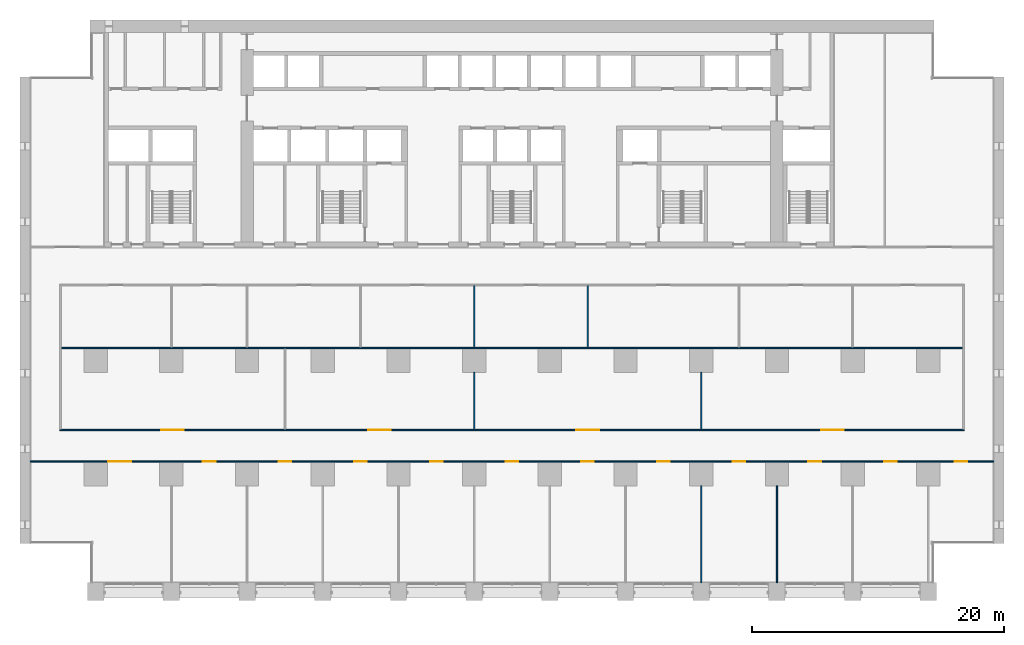
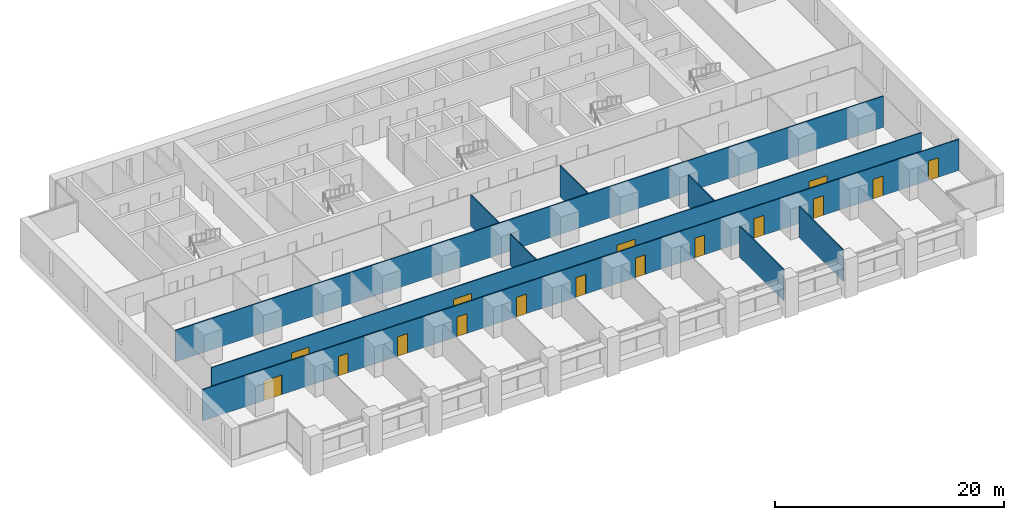
# One storey, part 9 of 18: 16 doors, 9 walls, 16 openings.
"""IFC4 building model written with IfcOpenShell, lengths in metres."""

import ifcopenshell
import ifcopenshell.guid

model = None  # the IFC model being written
_history = None  # IfcOwnerHistory: only IFC2X3 demands one
_inside = {}  # id of a spatial element -> (the spatial element, [elements in it])
_under = {}  # id of a project, library or spatial element -> (it, [spatial elements below it])
_declared = {}  # id of a project -> (the project, [libraries it declares])
_typed = {}  # id of a type object -> (the type object, [elements of that type])
_made_of = {}  # id of a material, layer set ... -> (it, [elements and type objects made of it])


def new_model(schema):
    """Start an empty IFC model of exactly this schema.

    Asked for "IFC4X3", IfcOpenShell would pick the latest addendum, in which some entities
    have other attributes; the version numbers below select the first issue.
    IFC2X3 requires an IfcOwnerHistory on every rooted entity: one is made here for all.
    """
    global model, _history
    if schema == "IFC4X3":
        model = ifcopenshell.file(schema_version=(4, 3, 0, 0))
    else:
        model = ifcopenshell.file(schema=schema)
    _inside.clear()
    _under.clear()
    _declared.clear()
    _typed.clear()
    _made_of.clear()
    _history = None
    if model.schema == "IFC2X3":
        org = make("IfcOrganization", Name="unknown")
        user = make(
            "IfcPersonAndOrganization",
            ThePerson=make("IfcPerson", FamilyName="unknown"),
            TheOrganization=org,
        )
        app = make(
            "IfcApplication",
            ApplicationDeveloper=org,
            Version="unknown",
            ApplicationFullName="unknown",
            ApplicationIdentifier="unknown",
        )
        _history = make(
            "IfcOwnerHistory",
            OwningUser=user,
            OwningApplication=app,
            ChangeAction="ADDED",
            CreationDate=0,
        )
    return model


def make(cls, **values):
    """One entity of the class cls with the attributes given. An attribute that is None is left unset."""
    return model.create_entity(
        cls, **{name: value for name, value in values.items() if value is not None}
    )


def rooted(cls, **values):
    """An entity with a GlobalId (a new one), such as an element, a storey or a relation."""
    return make(cls, GlobalId=ifcopenshell.guid.new(), OwnerHistory=_history, **values)


def si_unit(unit_type, name, prefix=None):
    """IfcSIUnit, for example si_unit("LENGTHUNIT", "METRE", prefix="MILLI")."""
    return make("IfcSIUnit", UnitType=unit_type, Prefix=prefix, Name=name)


def assignment(units):
    """IfcUnitAssignment: the units of a project."""
    return None if units is None else make("IfcUnitAssignment", Units=units)


def point(xyz):
    """IfcCartesianPoint."""
    return None if xyz is None else make("IfcCartesianPoint", Coordinates=xyz)


def direction(xyz):
    """IfcDirection."""
    return None if xyz is None else make("IfcDirection", DirectionRatios=xyz)


def frame(location, z_axis=None, x_axis=None):
    """IfcAxis2Placement3D, a coordinate frame: its origin and axes. An axis left out is left unset."""
    return make(
        "IfcAxis2Placement3D",
        Location=point(location),
        Axis=direction(z_axis),
        RefDirection=direction(x_axis),
    )


def frame_2d(location, x_axis=None):
    """IfcAxis2Placement2D, a coordinate frame in the plane: its origin and x axis."""
    return make(
        "IfcAxis2Placement2D", Location=point(location), RefDirection=direction(x_axis)
    )


def origin():
    """The frame at (0, 0, 0) with its axes left unset."""
    return frame((0.0, 0.0, 0.0))


def place(relative_to, where):
    """IfcLocalPlacement: puts the frame where relative to a parent placement (None: the world)."""
    return make(
        "IfcLocalPlacement", PlacementRelTo=relative_to, RelativePlacement=where
    )


def context(
    kind, dimensions, precision=None, world=None, true_north=None, identifier=None
):
    """IfcGeometricRepresentationContext, for example the 3D "Model" context."""
    return make(
        "IfcGeometricRepresentationContext",
        ContextIdentifier=identifier,
        ContextType=kind,
        CoordinateSpaceDimension=dimensions,
        Precision=precision,
        WorldCoordinateSystem=world,
        TrueNorth=true_north,
    )


def subcontext(parent, identifier, kind, view, scale=None):
    """IfcGeometricRepresentationSubContext, for example "Body" below "Model"."""
    return make(
        "IfcGeometricRepresentationSubContext",
        ContextIdentifier=identifier,
        ContextType=kind,
        ParentContext=parent,
        TargetScale=scale,
        TargetView=view,
    )


def project(units=None, contexts=None):
    """IfcProject with its units and contexts."""
    return rooted(
        "IfcProject",
        Name="project",
        RepresentationContexts=contexts,
        UnitsInContext=assignment(units),
    )


def spatial(cls, under=None, at=None, **own):
    """A site, building, storey or space (cls), placed at a placement, below another one or the project."""
    s = rooted(cls, ObjectPlacement=at, **own)
    if under is not None:
        _under.setdefault(under.id(), (under, []))[1].append(s)
    return s


def profile(cls, at=None, kind="AREA", **sizes):
    """A parametric profile (cls). Its sizes go by their IFC names, for example OverallWidth=200.0."""
    return make(cls, ProfileType=kind, Position=at, **sizes)


def rectangle(**sizes):
    """IfcRectangleProfileDef."""
    return profile("IfcRectangleProfileDef", **sizes)


def extrude(swept, where, along, depth):
    """IfcExtrudedAreaSolid: the profile swept, set in the frame where, extruded along a direction by depth."""
    return make(
        "IfcExtrudedAreaSolid",
        SweptArea=swept,
        Position=where,
        ExtrudedDirection=direction(along),
        Depth=depth,
    )


def shape(context_of_items, identifier, shape_type, items):
    """IfcShapeRepresentation: the items that make up one representation, for example the "Body"."""
    return make(
        "IfcShapeRepresentation",
        ContextOfItems=context_of_items,
        RepresentationIdentifier=identifier,
        RepresentationType=shape_type,
        Items=items,
    )


def material(Name=None, Category=None):
    """IfcMaterial."""
    return make("IfcMaterial", Name=Name, Category=Category)


def layer(
    of_material, thickness, ventilated=None, Name=None, Category=None, Priority=None
):
    """IfcMaterialLayer: one layer of a wall or slab, of a material (None: an air gap)."""
    return make(
        "IfcMaterialLayer",
        Material=of_material,
        LayerThickness=thickness,
        IsVentilated=ventilated,
        Name=Name,
        Category=Category,
        Priority=Priority,
    )


def layer_set(layers, Name=None):
    """IfcMaterialLayerSet."""
    return make("IfcMaterialLayerSet", MaterialLayers=layers, LayerSetName=Name)


def made_of(thing, what):
    """Note that an element or type object is made of a material, layer set ...; save() writes the relation."""
    if what is not None:
        _made_of.setdefault(what.id(), (what, []))[1].append(thing)
    return thing


def type_object(cls, material=None, **own):
    """A type object (cls), such as IfcWallType, which elements share."""
    return made_of(rooted(cls, **own), material)


def element(
    cls,
    number,
    at=None,
    inside=None,
    cuts=None,
    type_object=None,
    material=None,
    context=None,
    identifier="Body",
    shape_type=None,
    held_by="IfcProductDefinitionShape",
    body=None,
    shapes=None,
    **own,
):
    """One element of the class cls, such as IfcWall. Its Tag is "e" and its number.

    at: its placement. inside: the storey or other place that contains it. cuts: it is an
    opening in that element (IfcRelVoidsElement). A single representation is given by context,
    identifier, shape_type and body (its items); several are given by shapes. held_by: the class
    of the entity that holds the representations. save() writes the other relations.
    """
    e = rooted(cls, Tag="e%d" % number, ObjectPlacement=at, **own)
    if body is not None:
        shapes = [shape(context, identifier, shape_type, body)]
    if shapes is not None:
        e.Representation = make(held_by, Representations=shapes)
    if inside is not None:
        _inside.setdefault(inside.id(), (inside, []))[1].append(e)
    if cuts is not None:
        rooted(
            "IfcRelVoidsElement", RelatingBuildingElement=cuts, RelatedOpeningElement=e
        )
    if type_object is not None:
        _typed.setdefault(type_object.id(), (type_object, []))[1].append(e)
    return made_of(e, material)


def fill(opening, filler):
    """IfcRelFillsElement: the door or window that sits in an opening."""
    return rooted(
        "IfcRelFillsElement",
        RelatingOpeningElement=opening,
        RelatedBuildingElement=filler,
    )


def aggregate(whole, parts):
    """IfcRelAggregates: a whole, such as a stair, and the parts it consists of."""
    return rooted("IfcRelAggregates", RelatingObject=whole, RelatedObjects=parts)


def save(model, path):
    """Write the relations noted so far, then the file.

    IfcRelAggregates (storeys below a building ...), IfcRelContainedInSpatialStructure (elements
    in a storey), IfcRelDefinesByType, IfcRelAssociatesMaterial and IfcRelDeclares: one each for
    every whole, place, type object, material and project.
    """
    for whole, parts in _under.values():
        aggregate(whole, parts)
    for where, things in _inside.values():
        rooted(
            "IfcRelContainedInSpatialStructure",
            RelatedElements=things,
            RelatingStructure=where,
        )
    for kind, things in _typed.values():
        rooted("IfcRelDefinesByType", RelatedObjects=things, RelatingType=kind)
    for what, things in _made_of.values():
        rooted("IfcRelAssociatesMaterial", RelatedObjects=things, RelatingMaterial=what)
    for by, libraries in _declared.values():
        rooted("IfcRelDeclares", RelatingContext=by, RelatedDefinitions=libraries)
    model.write(path)


model = new_model("IFC4")

# Units and contexts
model_context = context("Model", 3, precision=1e-05, world=origin(), true_north=direction((0.0, 1.0)))
body_context = subcontext(model_context, "Body", "Model", "MODEL_VIEW")
ifc_project = project(units=[si_unit("LENGTHUNIT", "METRE"), si_unit("AREAUNIT", "SQUARE_METRE"), si_unit("VOLUMEUNIT", "CUBIC_METRE"), si_unit("PLANEANGLEUNIT", "RADIAN"), si_unit("MASSUNIT", "GRAM", prefix="KILO")], contexts=[model_context])

# Site, building, storey
site_placement = place(None, origin())
site = spatial("IfcSite", under=ifc_project, at=site_placement, CompositionType="ELEMENT")
building_placement = place(site_placement, origin())
building = spatial("IfcBuilding", under=site, at=building_placement, Name="Calvaro Tower", CompositionType="ELEMENT")
storey_placement = place(building_placement, frame((0.0, 0.0, 22.5)))
storey = spatial("IfcBuildingStorey", under=building, at=storey_placement, Name="L04", CompositionType="ELEMENT", Elevation=22.5)

# Wall, openings, doors
ifc_material_1 = material(Name="Plasterboard on steel studs", Category="steel")
ifc_layer = layer(ifc_material_1, 0.10009765625)
ifc_layer_set = layer_set([ifc_layer], Name="Plasterboard on steel studs")
wall_type = type_object("IfcWallType", Name="Partition 100", PredefinedType="PARTITIONING", material=ifc_layer_set)
wall_1_placement = place(storey_placement, frame((0.800048828125, 11.0, 0.0), z_axis=(0.0, 0.0, 1.0), x_axis=(1.0, 0.0, 0.0)))
wall_1 = element("IfcWall", 1, at=wall_1_placement, inside=storey, type_object=wall_type, Name="Partition T07.W001", PredefinedType="PARTITIONING", context=body_context, shape_type="SweptSolid", body=[
    extrude(rectangle(XDim=76.39990234375, YDim=0.10009765625, at=frame_2d((38.199951171875, 0.0))), origin(), (0.0, 0.0, 1.0), 3.35009765625),
])
opening_1_placement = place(wall_1_placement, frame((13.699951171875, 0.0, 0.0)))
opening_1 = element("IfcOpeningElement", 2, at=opening_1_placement, cuts=wall_1, Name="Opening T07.001", PredefinedType="OPENING", context=body_context, shape_type="SweptSolid", body=[
    extrude(rectangle(XDim=1.0, YDim=2.10009765625, at=frame_2d((0.5, 1.050048828125))), frame((0.0, 0.06005859375, 0.0), z_axis=(0.0, -1.0, 0.0), x_axis=(1.0, 0.0, 0.0)), (0.0, 0.0, 1.0), 0.1201171875),
])
opening_2_placement = place(wall_1_placement, frame((19.699951171875, 0.0, 0.0)))
opening_2 = element("IfcOpeningElement", 3, at=opening_2_placement, cuts=wall_1, Name="Opening T07.002", PredefinedType="OPENING", context=body_context, shape_type="SweptSolid", body=[
    extrude(rectangle(XDim=1.0, YDim=2.10009765625, at=frame_2d((0.5, 1.050048828125))), frame((0.0, 0.06005859375, 0.0), z_axis=(0.0, -1.0, 0.0), x_axis=(1.0, 0.0, 0.0)), (0.0, 0.0, 1.0), 0.1201171875),
])
opening_3_placement = place(wall_1_placement, frame((25.699951171875, 0.0, 0.0)))
opening_3 = element("IfcOpeningElement", 4, at=opening_3_placement, cuts=wall_1, Name="Opening T07.003", PredefinedType="OPENING", context=body_context, shape_type="SweptSolid", body=[
    extrude(rectangle(XDim=1.0, YDim=2.10009765625, at=frame_2d((0.5, 1.050048828125))), frame((0.0, 0.06005859375, 0.0), z_axis=(0.0, -1.0, 0.0), x_axis=(1.0, 0.0, 0.0)), (0.0, 0.0, 1.0), 0.1201171875),
])
opening_4_placement = place(wall_1_placement, frame((31.699951171875, 0.0, 0.0)))
opening_4 = element("IfcOpeningElement", 5, at=opening_4_placement, cuts=wall_1, Name="Opening T07.004", PredefinedType="OPENING", context=body_context, shape_type="SweptSolid", body=[
    extrude(rectangle(XDim=1.0, YDim=2.10009765625, at=frame_2d((0.5, 1.050048828125))), frame((0.0, 0.06005859375, 0.0), z_axis=(0.0, -1.0, 0.0), x_axis=(1.0, 0.0, 0.0)), (0.0, 0.0, 1.0), 0.1201171875),
])
opening_5_placement = place(wall_1_placement, frame((37.699951171875, 0.0, 0.0)))
opening_5 = element("IfcOpeningElement", 6, at=opening_5_placement, cuts=wall_1, Name="Opening T07.005", PredefinedType="OPENING", context=body_context, shape_type="SweptSolid", body=[
    extrude(rectangle(XDim=1.0, YDim=2.10009765625, at=frame_2d((0.5, 1.050048828125))), frame((0.0, 0.06005859375, 0.0), z_axis=(0.0, -1.0, 0.0), x_axis=(1.0, 0.0, 0.0)), (0.0, 0.0, 1.0), 0.1201171875),
])
opening_6_placement = place(wall_1_placement, frame((43.699951171875, 0.0, 0.0)))
opening_6 = element("IfcOpeningElement", 7, at=opening_6_placement, cuts=wall_1, Name="Opening T07.006", PredefinedType="OPENING", context=body_context, shape_type="SweptSolid", body=[
    extrude(rectangle(XDim=1.0, YDim=2.10009765625, at=frame_2d((0.5, 1.050048828125))), frame((0.0, 0.06005859375, 0.0), z_axis=(0.0, -1.0, 0.0), x_axis=(1.0, 0.0, 0.0)), (0.0, 0.0, 1.0), 0.1201171875),
])
opening_7_placement = place(wall_1_placement, frame((49.699951171875, 0.0, 0.0)))
opening_7 = element("IfcOpeningElement", 8, at=opening_7_placement, cuts=wall_1, Name="Opening T07.007", PredefinedType="OPENING", context=body_context, shape_type="SweptSolid", body=[
    extrude(rectangle(XDim=1.0, YDim=2.10009765625, at=frame_2d((0.5, 1.050048828125))), frame((0.0, 0.06005859375, 0.0), z_axis=(0.0, -1.0, 0.0), x_axis=(1.0, 0.0, 0.0)), (0.0, 0.0, 1.0), 0.1201171875),
])
opening_8_placement = place(wall_1_placement, frame((55.699951171875, 0.0, 0.0)))
opening_8 = element("IfcOpeningElement", 9, at=opening_8_placement, cuts=wall_1, Name="Opening T07.008", PredefinedType="OPENING", context=body_context, shape_type="SweptSolid", body=[
    extrude(rectangle(XDim=1.0, YDim=2.10009765625, at=frame_2d((0.5, 1.050048828125))), frame((0.0, 0.06005859375, 0.0), z_axis=(0.0, -1.0, 0.0), x_axis=(1.0, 0.0, 0.0)), (0.0, 0.0, 1.0), 0.1201171875),
])
opening_9_placement = place(wall_1_placement, frame((61.699951171875, 0.0, 0.0)))
opening_9 = element("IfcOpeningElement", 10, at=opening_9_placement, cuts=wall_1, Name="Opening T07.009", PredefinedType="OPENING", context=body_context, shape_type="SweptSolid", body=[
    extrude(rectangle(XDim=1.0, YDim=2.10009765625, at=frame_2d((0.5, 1.050048828125))), frame((0.0, 0.06005859375, 0.0), z_axis=(0.0, -1.0, 0.0), x_axis=(1.0, 0.0, 0.0)), (0.0, 0.0, 1.0), 0.1201171875),
])
opening_10_placement = place(wall_1_placement, frame((67.699951171875, 0.0, 0.0)))
opening_10 = element("IfcOpeningElement", 11, at=opening_10_placement, cuts=wall_1, Name="Opening T07.010", PredefinedType="OPENING", context=body_context, shape_type="SweptSolid", body=[
    extrude(rectangle(XDim=1.0, YDim=2.10009765625, at=frame_2d((0.5, 1.050048828125))), frame((0.0, 0.06005859375, 0.0), z_axis=(0.0, -1.0, 0.0), x_axis=(1.0, 0.0, 0.0)), (0.0, 0.0, 1.0), 0.1201171875),
])
opening_11_placement = place(wall_1_placement, frame((6.199951171875, 0.0, 0.0)))
opening_11 = element("IfcOpeningElement", 12, at=opening_11_placement, cuts=wall_1, Name="Opening T07.011", PredefinedType="OPENING", context=body_context, shape_type="SweptSolid", body=[
    extrude(rectangle(XDim=1.800048828125, YDim=2.10009765625, at=frame_2d((0.89990234375, 1.050048828125))), frame((0.0, 0.06005859375, 0.0), z_axis=(0.0, -1.0, 0.0), x_axis=(1.0, 0.0, 0.0)), (0.0, 0.0, 1.0), 0.1201171875),
])
opening_12_placement = place(wall_1_placement, frame((73.300048828125, 0.0, 0.0)))
opening_12 = element("IfcOpeningElement", 13, at=opening_12_placement, cuts=wall_1, Name="Opening T07.012", PredefinedType="OPENING", context=body_context, shape_type="SweptSolid", body=[
    extrude(rectangle(XDim=1.0, YDim=2.10009765625, at=frame_2d((0.5, 1.050048828125))), frame((0.0, 0.06005859375, 0.0), z_axis=(0.0, -1.0, 0.0), x_axis=(1.0, 0.0, 0.0)), (0.0, 0.0, 1.0), 0.1201171875),
])
ifc_material_2 = material(Name="Timber", Category="wood")
door_type_1 = type_object("IfcDoorType", Name="Internal double door 1800 x 2100", OperationType="DOUBLE_DOOR_SINGLE_SWING", PredefinedType="DOOR", material=ifc_material_2)
door_1_placement = place(opening_11_placement, origin())
door_1 = element("IfcDoor", 14, at=door_1_placement, inside=storey, type_object=door_type_1, Name="Door T07.011", OperationType="DOUBLE_DOOR_SINGLE_SWING", OverallHeight=2.10009765625, OverallWidth=1.800048828125, PredefinedType="DOOR", context=body_context, shape_type="SweptSolid", body=[
    extrude(rectangle(XDim=1.800048828125, YDim=2.10009765625, at=frame_2d((0.89990234375, 1.050048828125))), frame((0.0, 0.02490234375, 0.0), z_axis=(0.0, -1.0, 0.0), x_axis=(1.0, 0.0, 0.0)), (0.0, 0.0, 1.0), 0.050048828125),
])
fill(opening_11, door_1)
ifc_material_3 = material(Name="Timber", Category="wood")
door_type_2 = type_object("IfcDoorType", Name="Internal single door 1000 x 2100", OperationType="SINGLE_SWING_LEFT", PredefinedType="DOOR", material=ifc_material_3)
door_2_placement = place(opening_1_placement, origin())
door_2 = element("IfcDoor", 15, at=door_2_placement, inside=storey, type_object=door_type_2, Name="Door T07.001", OperationType="SINGLE_SWING_LEFT", OverallHeight=2.10009765625, OverallWidth=1.0, PredefinedType="DOOR", context=body_context, shape_type="SweptSolid", body=[
    extrude(rectangle(XDim=1.0, YDim=2.10009765625, at=frame_2d((0.5, 1.050048828125))), frame((0.0, 0.02490234375, 0.0), z_axis=(0.0, -1.0, 0.0), x_axis=(1.0, 0.0, 0.0)), (0.0, 0.0, 1.0), 0.050048828125),
])
fill(opening_1, door_2)
door_3_placement = place(opening_2_placement, origin())
door_3 = element("IfcDoor", 16, at=door_3_placement, inside=storey, type_object=door_type_2, Name="Door T07.002", OperationType="SINGLE_SWING_LEFT", OverallHeight=2.10009765625, OverallWidth=1.0, PredefinedType="DOOR", context=body_context, shape_type="SweptSolid", body=[
    extrude(rectangle(XDim=1.0, YDim=2.10009765625, at=frame_2d((0.5, 1.050048828125))), frame((0.0, 0.02490234375, 0.0), z_axis=(0.0, -1.0, 0.0), x_axis=(1.0, 0.0, 0.0)), (0.0, 0.0, 1.0), 0.050048828125),
])
fill(opening_2, door_3)
door_4_placement = place(opening_3_placement, origin())
door_4 = element("IfcDoor", 17, at=door_4_placement, inside=storey, type_object=door_type_2, Name="Door T07.003", OperationType="SINGLE_SWING_LEFT", OverallHeight=2.10009765625, OverallWidth=1.0, PredefinedType="DOOR", context=body_context, shape_type="SweptSolid", body=[
    extrude(rectangle(XDim=1.0, YDim=2.10009765625, at=frame_2d((0.5, 1.050048828125))), frame((0.0, 0.02490234375, 0.0), z_axis=(0.0, -1.0, 0.0), x_axis=(1.0, 0.0, 0.0)), (0.0, 0.0, 1.0), 0.050048828125),
])
fill(opening_3, door_4)
door_5_placement = place(opening_4_placement, origin())
door_5 = element("IfcDoor", 18, at=door_5_placement, inside=storey, type_object=door_type_2, Name="Door T07.004", OperationType="SINGLE_SWING_LEFT", OverallHeight=2.10009765625, OverallWidth=1.0, PredefinedType="DOOR", context=body_context, shape_type="SweptSolid", body=[
    extrude(rectangle(XDim=1.0, YDim=2.10009765625, at=frame_2d((0.5, 1.050048828125))), frame((0.0, 0.02490234375, 0.0), z_axis=(0.0, -1.0, 0.0), x_axis=(1.0, 0.0, 0.0)), (0.0, 0.0, 1.0), 0.050048828125),
])
fill(opening_4, door_5)
door_6_placement = place(opening_5_placement, origin())
door_6 = element("IfcDoor", 19, at=door_6_placement, inside=storey, type_object=door_type_2, Name="Door T07.005", OperationType="SINGLE_SWING_LEFT", OverallHeight=2.10009765625, OverallWidth=1.0, PredefinedType="DOOR", context=body_context, shape_type="SweptSolid", body=[
    extrude(rectangle(XDim=1.0, YDim=2.10009765625, at=frame_2d((0.5, 1.050048828125))), frame((0.0, 0.02490234375, 0.0), z_axis=(0.0, -1.0, 0.0), x_axis=(1.0, 0.0, 0.0)), (0.0, 0.0, 1.0), 0.050048828125),
])
fill(opening_5, door_6)
door_7_placement = place(opening_6_placement, origin())
door_7 = element("IfcDoor", 20, at=door_7_placement, inside=storey, type_object=door_type_2, Name="Door T07.006", OperationType="SINGLE_SWING_RIGHT", OverallHeight=2.10009765625, OverallWidth=1.0, PredefinedType="DOOR", context=body_context, shape_type="SweptSolid", body=[
    extrude(rectangle(XDim=1.0, YDim=2.10009765625, at=frame_2d((0.5, 1.050048828125))), frame((0.0, 0.02490234375, 0.0), z_axis=(0.0, -1.0, 0.0), x_axis=(1.0, 0.0, 0.0)), (0.0, 0.0, 1.0), 0.050048828125),
])
fill(opening_6, door_7)
door_8_placement = place(opening_7_placement, origin())
door_8 = element("IfcDoor", 21, at=door_8_placement, inside=storey, type_object=door_type_2, Name="Door T07.007", OperationType="SINGLE_SWING_RIGHT", OverallHeight=2.10009765625, OverallWidth=1.0, PredefinedType="DOOR", context=body_context, shape_type="SweptSolid", body=[
    extrude(rectangle(XDim=1.0, YDim=2.10009765625, at=frame_2d((0.5, 1.050048828125))), frame((0.0, 0.02490234375, 0.0), z_axis=(0.0, -1.0, 0.0), x_axis=(1.0, 0.0, 0.0)), (0.0, 0.0, 1.0), 0.050048828125),
])
fill(opening_7, door_8)
door_9_placement = place(opening_8_placement, origin())
door_9 = element("IfcDoor", 22, at=door_9_placement, inside=storey, type_object=door_type_2, Name="Door T07.008", OperationType="SINGLE_SWING_RIGHT", OverallHeight=2.10009765625, OverallWidth=1.0, PredefinedType="DOOR", context=body_context, shape_type="SweptSolid", body=[
    extrude(rectangle(XDim=1.0, YDim=2.10009765625, at=frame_2d((0.5, 1.050048828125))), frame((0.0, 0.02490234375, 0.0), z_axis=(0.0, -1.0, 0.0), x_axis=(1.0, 0.0, 0.0)), (0.0, 0.0, 1.0), 0.050048828125),
])
fill(opening_8, door_9)
door_10_placement = place(opening_9_placement, origin())
door_10 = element("IfcDoor", 23, at=door_10_placement, inside=storey, type_object=door_type_2, Name="Door T07.009", OperationType="SINGLE_SWING_RIGHT", OverallHeight=2.10009765625, OverallWidth=1.0, PredefinedType="DOOR", context=body_context, shape_type="SweptSolid", body=[
    extrude(rectangle(XDim=1.0, YDim=2.10009765625, at=frame_2d((0.5, 1.050048828125))), frame((0.0, 0.02490234375, 0.0), z_axis=(0.0, -1.0, 0.0), x_axis=(1.0, 0.0, 0.0)), (0.0, 0.0, 1.0), 0.050048828125),
])
fill(opening_9, door_10)
door_11_placement = place(opening_10_placement, origin())
door_11 = element("IfcDoor", 24, at=door_11_placement, inside=storey, type_object=door_type_2, Name="Door T07.010", OperationType="SINGLE_SWING_RIGHT", OverallHeight=2.10009765625, OverallWidth=1.0, PredefinedType="DOOR", context=body_context, shape_type="SweptSolid", body=[
    extrude(rectangle(XDim=1.0, YDim=2.10009765625, at=frame_2d((0.5, 1.050048828125))), frame((0.0, 0.02490234375, 0.0), z_axis=(0.0, -1.0, 0.0), x_axis=(1.0, 0.0, 0.0)), (0.0, 0.0, 1.0), 0.050048828125),
])
fill(opening_10, door_11)
door_12_placement = place(opening_12_placement, origin())
door_12 = element("IfcDoor", 25, at=door_12_placement, inside=storey, type_object=door_type_2, Name="Door T07.012", OperationType="SINGLE_SWING_RIGHT", OverallHeight=2.10009765625, OverallWidth=1.0, PredefinedType="DOOR", context=body_context, shape_type="SweptSolid", body=[
    extrude(rectangle(XDim=1.0, YDim=2.10009765625, at=frame_2d((0.5, 1.050048828125))), frame((0.0, 0.02490234375, 0.0), z_axis=(0.0, -1.0, 0.0), x_axis=(1.0, 0.0, 0.0)), (0.0, 0.0, 1.0), 0.050048828125),
])
fill(opening_12, door_12)

wall_2_placement = place(storey_placement, frame((3.14990234375, 13.5, 0.0), z_axis=(0.0, 0.0, 1.0), x_axis=(1.0, 0.0, 0.0)))
wall_2 = element("IfcWall", 26, at=wall_2_placement, inside=storey, type_object=wall_type, Name="Partition T07.W002", PredefinedType="PARTITIONING", context=body_context, shape_type="SweptSolid", body=[
    extrude(rectangle(XDim=71.7001953125, YDim=0.10009765625, at=frame_2d((35.85009765625, 0.0))), origin(), (0.0, 0.0, 1.0), 3.35009765625),
])
opening_13_placement = place(wall_2_placement, frame((8.050048828125, 0.0, 0.0)))
opening_13 = element("IfcOpeningElement", 27, at=opening_13_placement, cuts=wall_2, Name="Opening T07.013", PredefinedType="OPENING", context=body_context, shape_type="SweptSolid", body=[
    extrude(rectangle(XDim=1.800048828125, YDim=2.10009765625, at=frame_2d((0.89990234375, 1.050048828125))), frame((0.0, 0.06005859375, 0.0), z_axis=(0.0, -1.0, 0.0), x_axis=(1.0, 0.0, 0.0)), (0.0, 0.0, 1.0), 0.1201171875),
])
opening_14_placement = place(wall_2_placement, frame((24.449951171875, 0.0, 0.0)))
opening_14 = element("IfcOpeningElement", 28, at=opening_14_placement, cuts=wall_2, Name="Opening T07.014", PredefinedType="OPENING", context=body_context, shape_type="SweptSolid", body=[
    extrude(rectangle(XDim=1.800048828125, YDim=2.10009765625, at=frame_2d((0.89990234375, 1.050048828125))), frame((0.0, 0.06005859375, 0.0), z_axis=(0.0, -1.0, 0.0), x_axis=(1.0, 0.0, 0.0)), (0.0, 0.0, 1.0), 0.1201171875),
])
opening_15_placement = place(wall_2_placement, frame((40.949951171875, 0.0, 0.0)))
opening_15 = element("IfcOpeningElement", 29, at=opening_15_placement, cuts=wall_2, Name="Opening T07.015", PredefinedType="OPENING", context=body_context, shape_type="SweptSolid", body=[
    extrude(rectangle(XDim=1.800048828125, YDim=2.10009765625, at=frame_2d((0.89990234375, 1.050048828125))), frame((0.0, 0.06005859375, 0.0), z_axis=(0.0, -1.0, 0.0), x_axis=(1.0, 0.0, 0.0)), (0.0, 0.0, 1.0), 0.1201171875),
])
opening_16_placement = place(wall_2_placement, frame((60.35009765625, 0.0, 0.0)))
opening_16 = element("IfcOpeningElement", 30, at=opening_16_placement, cuts=wall_2, Name="Opening T07.016", PredefinedType="OPENING", context=body_context, shape_type="SweptSolid", body=[
    extrude(rectangle(XDim=1.800048828125, YDim=2.10009765625, at=frame_2d((0.89990234375, 1.050048828125))), frame((0.0, 0.06005859375, 0.0), z_axis=(0.0, -1.0, 0.0), x_axis=(1.0, 0.0, 0.0)), (0.0, 0.0, 1.0), 0.1201171875),
])
door_13_placement = place(opening_13_placement, origin())
door_13 = element("IfcDoor", 31, at=door_13_placement, inside=storey, type_object=door_type_1, Name="Door T07.013", OperationType="DOUBLE_DOOR_SINGLE_SWING", OverallHeight=2.10009765625, OverallWidth=1.800048828125, PredefinedType="DOOR", context=body_context, shape_type="SweptSolid", body=[
    extrude(rectangle(XDim=1.800048828125, YDim=2.10009765625, at=frame_2d((0.89990234375, 1.050048828125))), frame((0.0, 0.02490234375, 0.0), z_axis=(0.0, -1.0, 0.0), x_axis=(1.0, 0.0, 0.0)), (0.0, 0.0, 1.0), 0.050048828125),
])
fill(opening_13, door_13)
door_14_placement = place(opening_14_placement, origin())
door_14 = element("IfcDoor", 32, at=door_14_placement, inside=storey, type_object=door_type_1, Name="Door T07.014", OperationType="DOUBLE_DOOR_SINGLE_SWING", OverallHeight=2.10009765625, OverallWidth=1.800048828125, PredefinedType="DOOR", context=body_context, shape_type="SweptSolid", body=[
    extrude(rectangle(XDim=1.800048828125, YDim=2.10009765625, at=frame_2d((0.89990234375, 1.050048828125))), frame((0.0, 0.02490234375, 0.0), z_axis=(0.0, -1.0, 0.0), x_axis=(1.0, 0.0, 0.0)), (0.0, 0.0, 1.0), 0.050048828125),
])
fill(opening_14, door_14)
door_15_placement = place(opening_15_placement, origin())
door_15 = element("IfcDoor", 33, at=door_15_placement, inside=storey, type_object=door_type_1, Name="Door T07.015", OperationType="DOUBLE_DOOR_SINGLE_SWING", OverallHeight=2.10009765625, OverallWidth=1.800048828125, PredefinedType="DOOR", context=body_context, shape_type="SweptSolid", body=[
    extrude(rectangle(XDim=1.800048828125, YDim=2.10009765625, at=frame_2d((0.89990234375, 1.050048828125))), frame((0.0, 0.02490234375, 0.0), z_axis=(0.0, -1.0, 0.0), x_axis=(1.0, 0.0, 0.0)), (0.0, 0.0, 1.0), 0.050048828125),
])
fill(opening_15, door_15)
door_16_placement = place(opening_16_placement, origin())
door_16 = element("IfcDoor", 34, at=door_16_placement, inside=storey, type_object=door_type_1, Name="Door T07.016", OperationType="DOUBLE_DOOR_SINGLE_SWING", OverallHeight=2.10009765625, OverallWidth=1.800048828125, PredefinedType="DOOR", context=body_context, shape_type="SweptSolid", body=[
    extrude(rectangle(XDim=1.800048828125, YDim=2.10009765625, at=frame_2d((0.89990234375, 1.050048828125))), frame((0.0, 0.02490234375, 0.0), z_axis=(0.0, -1.0, 0.0), x_axis=(1.0, 0.0, 0.0)), (0.0, 0.0, 1.0), 0.050048828125),
])
fill(opening_16, door_16)

# Walls
wall_3_placement = place(storey_placement, frame((3.25, 20.0, 0.0), z_axis=(0.0, 0.0, 1.0), x_axis=(1.0, 0.0, 0.0)))
element("IfcWall", 35, at=wall_3_placement, inside=storey, type_object=wall_type, Name="Partition T07.W003", PredefinedType="PARTITIONING", context=body_context, shape_type="SweptSolid", body=[
    extrude(rectangle(XDim=71.5, YDim=0.10009765625, at=frame_2d((35.75, 0.0))), origin(), (0.0, 0.0, 1.0), 3.35009765625),
])
wall_4_placement = place(storey_placement, frame((36.0, 13.550048828125, 0.0), z_axis=(0.0, 0.0, 1.0), x_axis=(0.0, 1.0, 0.0)))
element("IfcWall", 36, at=wall_4_placement, inside=storey, type_object=wall_type, Name="Partition T07.W017", PredefinedType="PARTITIONING", context=body_context, shape_type="SweptSolid", body=[
    extrude(rectangle(XDim=4.52490234375, YDim=0.10009765625, at=frame_2d((2.262451171875, 0.0))), origin(), (0.0, 0.0, 1.0), 3.35009765625),
])
for number, where, z_axis, x_axis, name in (
    (37, (36.0, 20.050048828125, 0.0), (0.0, 0.0, 1.0), (0.0, 1.0, 0.0), "Partition T07.W018"),
    (38, (45.0, 20.050048828125, 0.0), (0.0, 0.0, 1.0), (0.0, 1.0, 0.0), "Partition T07.W020"),
):
    element("IfcWall", number, at=place(storey_placement, frame(where, z_axis=z_axis, x_axis=x_axis)), inside=storey, type_object=wall_type, Name=name, PredefinedType="PARTITIONING", context=body_context, shape_type="SweptSolid", body=[
        extrude(rectangle(XDim=4.89990234375, YDim=0.10009765625, at=frame_2d((2.449951171875, 0.0))), origin(), (0.0, 0.0, 1.0), 3.35009765625),
    ])
wall_5_placement = place(storey_placement, frame((54.0, 1.39990234375, 0.0), z_axis=(0.0, 0.0, 1.0), x_axis=(0.0, 1.0, 0.0)))
element("IfcWall", 39, at=wall_5_placement, inside=storey, type_object=wall_type, Name="Partition T07.W022", PredefinedType="PARTITIONING", context=body_context, shape_type="SweptSolid", body=[
    extrude(rectangle(XDim=7.675048828125, YDim=0.10009765625, at=frame_2d((3.83740234375, 0.0))), origin(), (0.0, 0.0, 1.0), 3.35009765625),
])
wall_6_placement = place(storey_placement, frame((54.0, 13.550048828125, 0.0), z_axis=(0.0, 0.0, 1.0), x_axis=(0.0, 1.0, 0.0)))
element("IfcWall", 40, at=wall_6_placement, inside=storey, type_object=wall_type, Name="Partition T07.W023", PredefinedType="PARTITIONING", context=body_context, shape_type="SweptSolid", body=[
    extrude(rectangle(XDim=4.52490234375, YDim=0.10009765625, at=frame_2d((2.262451171875, 0.0))), origin(), (0.0, 0.0, 1.0), 3.35009765625),
])
wall_7_placement = place(storey_placement, frame((60.0, 1.39990234375, 0.0), z_axis=(0.0, 0.0, 1.0), x_axis=(0.0, 1.0, 0.0)))
element("IfcWall", 41, at=wall_7_placement, inside=storey, type_object=wall_type, Name="Partition T07.W025", PredefinedType="PARTITIONING", context=body_context, shape_type="SweptSolid", body=[
    extrude(rectangle(XDim=7.675048828125, YDim=0.10009765625, at=frame_2d((3.83740234375, 0.0))), origin(), (0.0, 0.0, 1.0), 3.35009765625),
])

save(model, "model.ifc")
